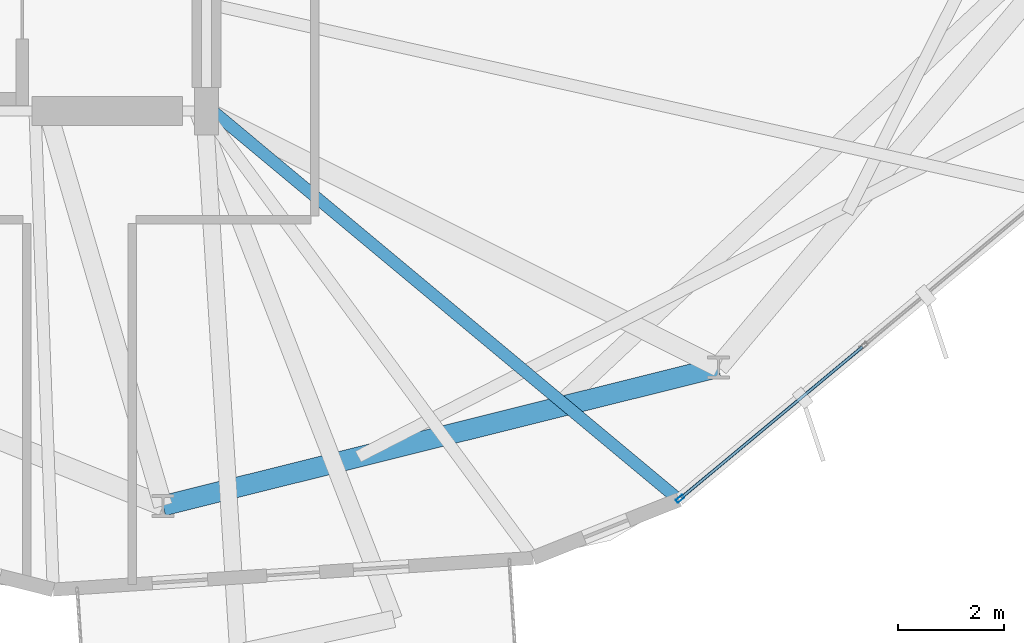
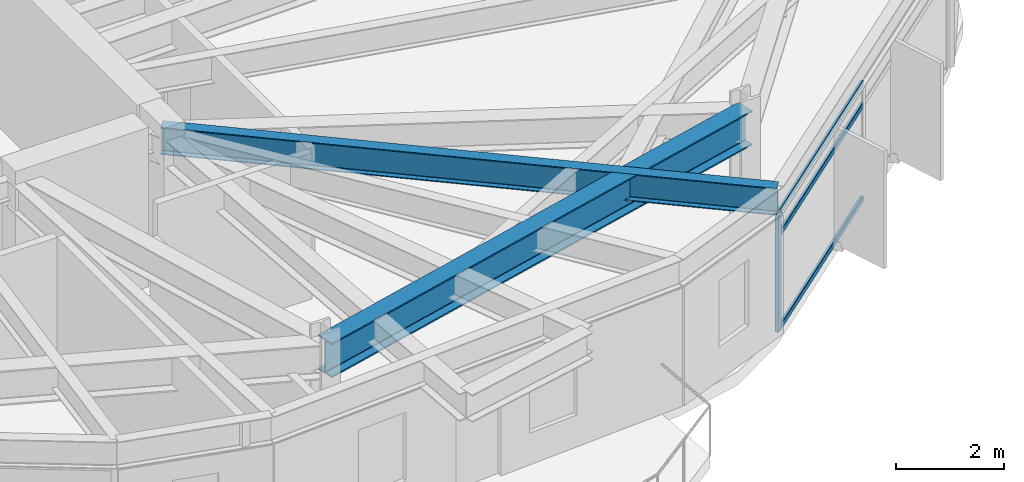
# One storey, part 5 of 24: 4 members, 2 beams, 1 element without a shape of its own.
"""IFC4 building model written with IfcOpenShell, lengths in metres."""

from ifc_helpers import new_model, si_unit, direction, frame, origin, origin_2d, place, context, subcontext, project, spatial, hollow_rectangle, i_section, extrude, material, layer, layer_set, material_profile, profile_set, type_object, element, aggregate, save


model = new_model("IFC4")

# Units and contexts
model_context = context("Model", 3, precision=1e-05, world=origin(), true_north=direction((0.0, 1.0)))
body_context = subcontext(model_context, "Body", "Model", "MODEL_VIEW")
ifc_project = project(units=[si_unit("LENGTHUNIT", "METRE"), si_unit("AREAUNIT", "SQUARE_METRE"), si_unit("VOLUMEUNIT", "CUBIC_METRE"), si_unit("PLANEANGLEUNIT", "RADIAN"), si_unit("MASSUNIT", "GRAM", prefix="KILO")], contexts=[model_context])

# Site, building, storey
site_placement = place(None, origin())
site = spatial("IfcSite", under=ifc_project, at=site_placement, CompositionType="ELEMENT")
building_placement = place(site_placement, origin())
building = spatial("IfcBuilding", under=site, at=building_placement, Name="Soratama Intermodal Tower", CompositionType="ELEMENT")
storey_placement = place(building_placement, frame((0.0, 0.0, 178.60009765625)))
storey = spatial("IfcBuildingStorey", under=building, at=storey_placement, Name="L44", CompositionType="ELEMENT", Elevation=178.60009765625)

# Beams
ifc_material_1 = material(Name="Structural steel ASTM A992 Grade 50", Category="steel")
ifc_material_profile_1 = material_profile(ifc_material_1, i_section(OverallWidth=0.382080078125, OverallDepth=0.779052734375, WebThickness=0.01806640625, FlangeThickness=0.030029296875, FilletRadius=0.01806640625, at=origin_2d()), Name="W30X191")
ifc_profile_set_1 = profile_set([ifc_material_profile_1], Name="Structural steel ASTM A992 Grade 50")
beam_type_1 = type_object("IfcBeamType", Name="BM-RING-W30X191", PredefinedType="BEAM", material=ifc_profile_set_1)
beam_1_placement = place(storey_placement, frame((43.779052734375, 7.54296875, 2.910400390625), z_axis=(0.970310893227, 0.241861056155, 0.0), x_axis=(-0.241861056155, 0.970310893227, 0.0)))
element("IfcBeam", 1, at=beam_1_placement, inside=storey, type_object=beam_type_1, Name="BM-L44-RING-08", PredefinedType="BEAM", context=body_context, shape_type="SweptSolid", body=[
    extrude(i_section(OverallWidth=0.382080078125, OverallDepth=0.779052734375, WebThickness=0.01806640625, FlangeThickness=0.030029296875, FilletRadius=0.01806640625, at=origin_2d()), origin(), (0.0, 0.0, 1.0), 10.81591796875),
])
ifc_material_2 = material(Name="Structural steel ASTM A992 Grade 50", Category="steel")
ifc_material_profile_2 = material_profile(ifc_material_2, i_section(OverallWidth=0.22900390625, OverallDepth=0.612060546875, WebThickness=0.011962890625, FlangeThickness=0.01953125, FilletRadius=0.012939453125, at=origin_2d()), Name="W24X84")
ifc_profile_set_2 = profile_set([ifc_material_profile_2], Name="Structural steel ASTM A992 Grade 50")
beam_type_2 = type_object("IfcBeamType", Name="BM-TIE-W24X84", PredefinedType="BEAM", material=ifc_profile_set_2)
beam_2_placement = place(storey_placement, frame((44.631103515625, 15.073974609375, 2.993896484375), z_axis=(0.768107228927, -0.640321235685, 0.0), x_axis=(0.640321235685, 0.768107228927, 0.0)))
element("IfcBeam", 2, at=beam_2_placement, inside=storey, type_object=beam_type_2, Name="BM-L44-TIE0-08", PredefinedType="BEAM", context=body_context, shape_type="SweptSolid", body=[
    extrude(i_section(OverallWidth=0.22900390625, OverallDepth=0.612060546875, WebThickness=0.011962890625, FlangeThickness=0.01953125, FilletRadius=0.012939453125, at=origin_2d()), origin(), (0.0, 0.0, 1.0), 11.581787109375),
])

# Curtain wall, members
ifc_material_3 = material(Name="Double-glazed aluminium curtain wall", Category="aluminium")
ifc_layer = layer(ifc_material_3, 0.159912109375)
ifc_layer_set = layer_set([ifc_layer], Name="Double-glazed aluminium curtain wall")
curtain_wall_type = type_object("IfcCurtainWallType", Name="CW-SYS-4", PredefinedType="NOTDEFINED", material=ifc_layer_set)
curtain_wall_placement = place(storey_placement, origin())
curtain_wall = element("IfcCurtainWall", 3, at=curtain_wall_placement, inside=storey, type_object=curtain_wall_type, Name="L44 Faceted Curtain Wall F08", PredefinedType="NOTDEFINED")
ifc_material_4 = material(Name="Anodised aluminium AA 6063-T6", Category="aluminium")
ifc_material_profile_3 = material_profile(ifc_material_4, hollow_rectangle(XDim=0.070068359375, YDim=0.159912109375, WallThickness=0.0048828125, InnerFilletRadius=0.0048828125, OuterFilletRadius=0.010009765625, at=origin_2d()), Name="CWM160X70X5")
ifc_profile_set_3 = profile_set([ifc_material_profile_3], Name="Anodised aluminium AA 6063-T6")
member_type_1 = type_object("IfcMemberType", Name="MT-CWM-4", PredefinedType="MULLION", material=ifc_profile_set_3)
member_1_placement = place(storey_placement, frame((53.5498046875, 7.677001953125, 0.0), z_axis=(0.0, 0.0, 1.0), x_axis=(-0.639840120202, 0.768508048481, 0.0)))
member_1 = element("IfcMember", 4, at=member_1_placement, type_object=member_type_1, Name="CW-4 mullion 1", PredefinedType="MULLION", context=body_context, shape_type="SweptSolid", body=[
    extrude(hollow_rectangle(XDim=0.070068359375, YDim=0.159912109375, WallThickness=0.0048828125, InnerFilletRadius=0.0048828125, OuterFilletRadius=0.010009765625, at=origin_2d()), origin(), (0.0, 0.0, 1.0), 2.678955078125),
])
ifc_material_5 = material(Name="Anodised aluminium AA 6063-T6", Category="aluminium")
ifc_material_profile_4 = material_profile(ifc_material_5, hollow_rectangle(XDim=0.06005859375, YDim=0.1298828125, WallThickness=0.0048828125, InnerFilletRadius=0.0048828125, OuterFilletRadius=0.010009765625, at=origin_2d()), Name="CWT130X60X5")
ifc_profile_set_4 = profile_set([ifc_material_profile_4], Name="Anodised aluminium AA 6063-T6")
member_type_2 = type_object("IfcMemberType", Name="TT-CWT-2", PredefinedType="USERDEFINED", material=ifc_profile_set_4)
member_2_placement = place(storey_placement, frame((53.57275390625, 7.6962890625, 0.02978515625), z_axis=(0.768531240938, 0.639812262857, 0.0), x_axis=(-0.639812262857, 0.768531240938, 0.0)))
member_2 = element("IfcMember", 5, at=member_2_placement, type_object=member_type_2, Name="CW-4 transom 1.1", ObjectType="TRANSOM", PredefinedType="USERDEFINED", context=body_context, shape_type="SweptSolid", body=[
    extrude(hollow_rectangle(XDim=0.06005859375, YDim=0.1298828125, WallThickness=0.0048828125, InnerFilletRadius=0.0048828125, OuterFilletRadius=0.010009765625, at=origin_2d()), origin(), (0.0, 0.0, 1.0), 4.453369140625),
])
member_3_placement = place(storey_placement, frame((53.57275390625, 7.6962890625, 2.14990234375), z_axis=(0.768531240938, 0.639812262857, 0.0), x_axis=(-0.639812262857, 0.768531240938, 0.0)))
member_3 = element("IfcMember", 6, at=member_3_placement, type_object=member_type_2, Name="CW-4 transom 1.2", ObjectType="TRANSOM", PredefinedType="USERDEFINED", context=body_context, shape_type="SweptSolid", body=[
    extrude(hollow_rectangle(XDim=0.06005859375, YDim=0.1298828125, WallThickness=0.0048828125, InnerFilletRadius=0.0048828125, OuterFilletRadius=0.010009765625, at=origin_2d()), origin(), (0.0, 0.0, 1.0), 4.453369140625),
])
member_4_placement = place(storey_placement, frame((53.57275390625, 7.6962890625, 2.64892578125), z_axis=(0.768531240938, 0.639812262857, 0.0), x_axis=(-0.639812262857, 0.768531240938, 0.0)))
member_4 = element("IfcMember", 7, at=member_4_placement, type_object=member_type_2, Name="CW-4 transom 1.3", ObjectType="TRANSOM", PredefinedType="USERDEFINED", context=body_context, shape_type="SweptSolid", body=[
    extrude(hollow_rectangle(XDim=0.06005859375, YDim=0.1298828125, WallThickness=0.0048828125, InnerFilletRadius=0.0048828125, OuterFilletRadius=0.010009765625, at=origin_2d()), origin(), (0.0, 0.0, 1.0), 4.453369140625),
])
aggregate(curtain_wall, [member_1, member_2, member_3, member_4])

save(model, "model.ifc")
